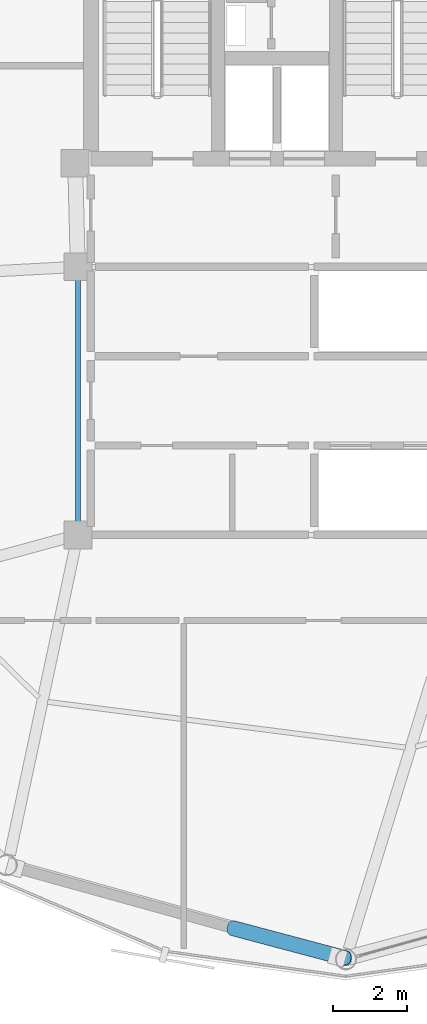
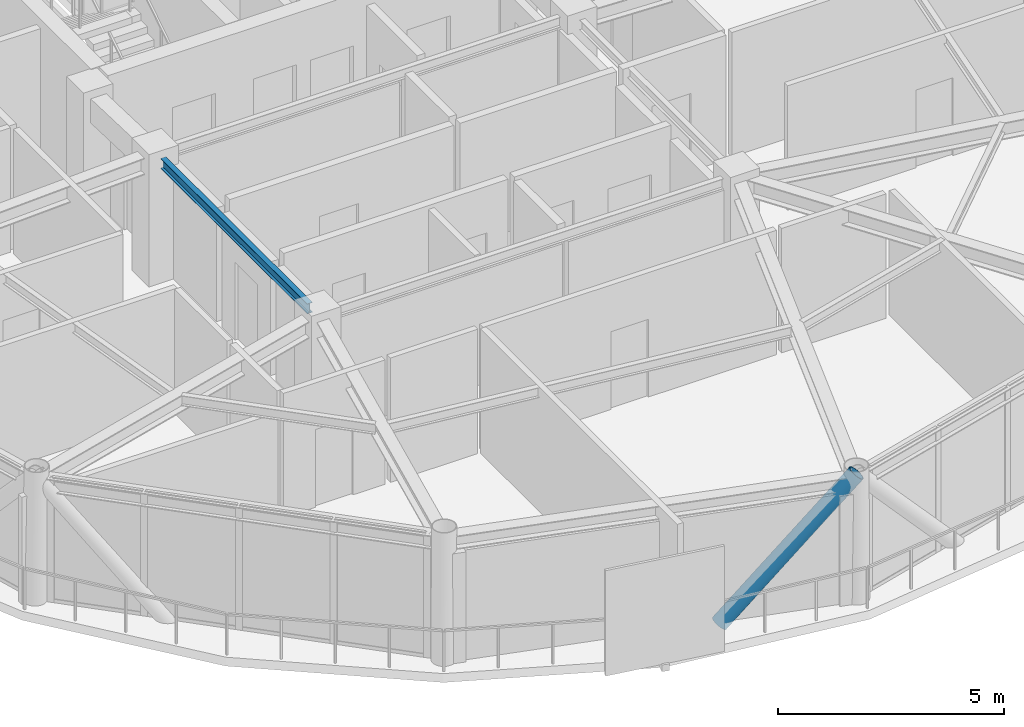
# One storey, part 6 of 26: 1 beam, 1 member.
"""IFC4 building model written with IfcOpenShell, lengths in metres."""

from ifc_helpers import new_model, si_unit, direction, frame, origin, origin_2d, place, context, subcontext, project, spatial, hollow_circle, i_section, extrude, material, material_profile, profile_set, type_object, element, save


model = new_model("IFC4")

# Units and contexts
model_context = context("Model", 3, precision=1e-05, world=origin(), true_north=direction((0.0, 1.0)))
body_context = subcontext(model_context, "Body", "Model", "MODEL_VIEW")
ifc_project = project(units=[si_unit("LENGTHUNIT", "METRE"), si_unit("AREAUNIT", "SQUARE_METRE"), si_unit("VOLUMEUNIT", "CUBIC_METRE"), si_unit("PLANEANGLEUNIT", "RADIAN"), si_unit("MASSUNIT", "GRAM", prefix="KILO")], contexts=[model_context])

# Site, building, storey
site_placement = place(None, origin())
site = spatial("IfcSite", under=ifc_project, at=site_placement, CompositionType="ELEMENT")
building_placement = place(site_placement, origin())
building = spatial("IfcBuilding", under=site, at=building_placement, Name="Varnakorn Sky Granary", CompositionType="ELEMENT")
storey_placement = place(building_placement, frame((0.0, 0.0, 256.199951171875)))
storey = spatial("IfcBuildingStorey", under=building, at=storey_placement, Name="L65", CompositionType="ELEMENT", Elevation=256.199951171875)

# Beam
ifc_material_1 = material(Name="Steel S355JR", Category="steel")
ifc_material_profile_1 = material_profile(ifc_material_1, i_section(OverallWidth=0.135009765625, OverallDepth=0.27001953125, WebThickness=0.006591796875, FlangeThickness=0.01025390625, at=origin_2d()), Name="IPE 270")
ifc_profile_set_1 = profile_set([ifc_material_profile_1], Name="Steel S355JR")
beam_type = type_object("IfcBeamType", Name="BM-SEC-Z5", PredefinedType="BEAM", material=ifc_profile_set_1)
beam_placement = place(storey_placement, frame((-2.35009765625, 0.2451171875, 3.22509765625), z_axis=(0.0, -1.0, 0.0), x_axis=(1.0, 0.0, 0.0)))
element("IfcBeam", 1, at=beam_placement, inside=storey, type_object=beam_type, Name="Core Spine Framing Beam 3 L65", PredefinedType="BEAM", context=body_context, shape_type="SweptSolid", body=[
    extrude(i_section(OverallWidth=0.135009765625, OverallDepth=0.27001953125, WebThickness=0.006591796875, FlangeThickness=0.01025390625, at=origin_2d()), origin(), (0.0, 0.0, 1.0), 6.490234375),
])

# Member
ifc_material_2 = material(Name="Steel S460M", Category="steel")
ifc_material_profile_2 = material_profile(ifc_material_2, hollow_circle(Radius=0.203125, WallThickness=0.01611328125, at=origin_2d()), Name="CHS 406.4x16")
ifc_profile_set_2 = profile_set([ifc_material_profile_2], Name="Steel S460M")
member_type = type_object("IfcMemberType", Name="MB-DIAG-T4", PredefinedType="BRACE", material=ifc_profile_set_2)
member_placement = place(storey_placement, frame((1.8125, -17.162109375, -0.1298828125), z_axis=(0.646718359362, -0.172205266401, 0.743034797225), x_axis=(0.257309749446, 0.966328977543, 0.0)))
element("IfcMember", 2, at=member_placement, inside=storey, type_object=member_type, Name="Perimeter CHS Diagrid Brace DG09 L65", PredefinedType="BRACE", context=body_context, shape_type="SweptSolid", body=[
    extrude(hollow_circle(Radius=0.203125, WallThickness=0.01611328125, at=origin_2d()), origin(), (0.0, 0.0, 1.0), 4.697021484375),
])

save(model, "model.ifc")
